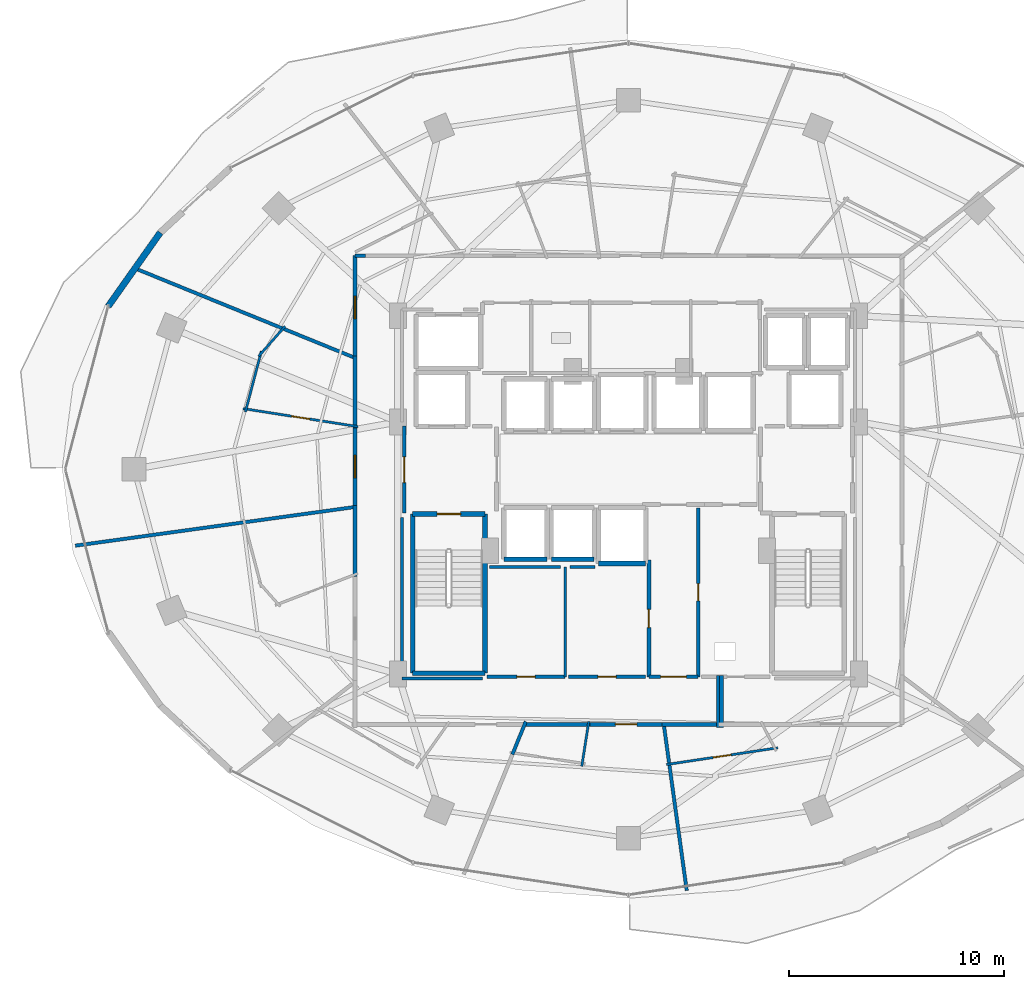
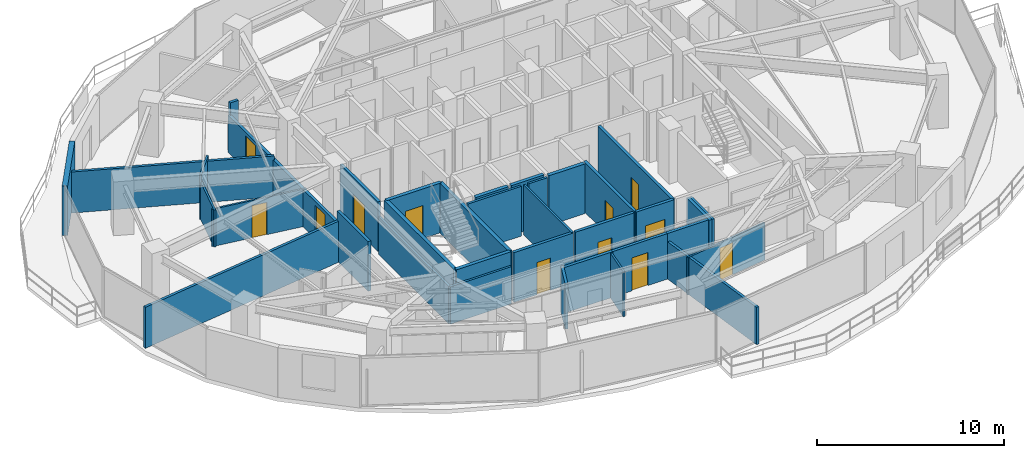
# One storey, part 22 of 30: 38 walls, 12 doors, 12 openings.
"""IFC4 building model written with IfcOpenShell, lengths in metres."""

from ifc_helpers import new_model, si_unit, direction, frame, frame_2d, origin, place, context, subcontext, project, spatial, rectangle, extrude, material, layer, layer_set, type_object, element, fill, save


model = new_model("IFC4")

# Units and contexts
model_context = context("Model", 3, precision=1e-05, world=origin(), true_north=direction((0.0, 1.0)))
body_context = subcontext(model_context, "Body", "Model", "MODEL_VIEW")
ifc_project = project(units=[si_unit("LENGTHUNIT", "METRE"), si_unit("AREAUNIT", "SQUARE_METRE"), si_unit("VOLUMEUNIT", "CUBIC_METRE"), si_unit("PLANEANGLEUNIT", "RADIAN"), si_unit("MASSUNIT", "GRAM", prefix="KILO")], contexts=[model_context])

# Site, building, storey
site_placement = place(None, origin())
site = spatial("IfcSite", under=ifc_project, at=site_placement, CompositionType="ELEMENT")
building_placement = place(site_placement, origin())
building = spatial("IfcBuilding", under=site, at=building_placement, Name="Vorneva Point Tower", CompositionType="ELEMENT")
storey_placement = place(building_placement, frame((0.0, 0.0, 89.300048828125)))
storey = spatial("IfcBuildingStorey", under=building, at=storey_placement, Name="L23", CompositionType="ELEMENT", Elevation=89.300048828125)

# Walls
ifc_material_1 = material(Name="Precast concrete B50 (C40/50)", Category="concrete")
ifc_layer_1 = layer(ifc_material_1, 0.300048828125)
ifc_layer_set_1 = layer_set([ifc_layer_1], Name="Precast concrete B50 (C40/50)")
wall_type_1 = type_object("IfcWallType", Name="WL-EXT-300", PredefinedType="STANDARD", material=ifc_layer_set_1)
wall_1_placement = place(storey_placement, frame((16.173828125, 37.028076171875, 0.0), z_axis=(0.0, 0.0, 1.0), x_axis=(-0.57716435238, -0.81662801222, 0.0)))
element("IfcWall", 1, at=wall_1_placement, inside=storey, type_object=wall_type_1, Name="L23 Pale-Metal Facade Spandrel Wall 07.2", PredefinedType="STANDARD", context=body_context, shape_type="SweptSolid", body=[
    extrude(rectangle(XDim=4.202392578125, YDim=0.300048828125, at=frame_2d((2.10107421875, 0.0))), origin(), (0.0, 0.0, 1.0), 3.239990234375),
])
ifc_material_2 = material(Name="Fire-rated acoustic gypsum stud partition", Category="gypsum")
ifc_layer_2 = layer(ifc_material_2, 0.110107421875)
ifc_layer_set_2 = layer_set([ifc_layer_2], Name="Fire-rated acoustic gypsum stud partition")
wall_type_2 = type_object("IfcWallType", Name="WL-PART-110", PredefinedType="PARTITIONING", material=ifc_layer_set_2)
wall_2_placement = place(storey_placement, frame((20.141357421875, 28.66650390625, 0.0), z_axis=(0.0, 0.0, 1.0), x_axis=(0.254489206931, 0.967075614187, 0.0)))
element("IfcWall", 2, at=wall_2_placement, inside=storey, type_object=wall_type_2, Name="L23 Interior Partition 070", PredefinedType="PARTITIONING", context=body_context, shape_type="SweptSolid", body=[
    extrude(rectangle(XDim=2.9365234375, YDim=0.110107421875, at=frame_2d((1.46826171875, 0.0))), origin(), (0.0, 0.0, 1.0), 2.431884765625),
])
wall_3_placement = place(storey_placement, frame((20.76025390625, 31.26611328125, 0.0), z_axis=(0.0, 0.0, 1.0), x_axis=(0.662008805554, 0.749496058275, 0.0)))
element("IfcWall", 3, at=wall_3_placement, inside=storey, type_object=wall_type_2, Name="L23 Interior Partition 071", PredefinedType="PARTITIONING", context=body_context, shape_type="SweptSolid", body=[
    extrude(rectangle(XDim=1.855712890625, YDim=0.110107421875, at=frame_2d((0.927734375, 0.0))), origin(), (0.0, 0.0, 1.0), 2.921875),
])

# Wall, opening, door
wall_4_placement = place(storey_placement, frame((25.38818359375, 27.982177734375, 0.0), z_axis=(0.0, 0.0, 1.0), x_axis=(-0.98785054141, 0.155406910513, 0.0)))
wall_4 = element("IfcWall", 4, at=wall_4_placement, inside=storey, type_object=wall_type_2, Name="L23 Interior Partition 072", PredefinedType="PARTITIONING", context=body_context, shape_type="SweptSolid", body=[
    extrude(rectangle(XDim=5.4150390625, YDim=0.110107421875, at=frame_2d((2.70751953125, 0.0))), origin(), (0.0, 0.0, 1.0), 2.431884765625),
])
opening_1_placement = place(wall_4_placement, frame((2.28271484375, 0.0, 0.0)))
opening_1 = element("IfcOpeningElement", 5, at=opening_1_placement, cuts=wall_4, Name="Opening ID-02", PredefinedType="OPENING", context=body_context, shape_type="SweptSolid", body=[
    extrude(rectangle(XDim=0.85009765625, YDim=2.10009765625, at=frame_2d((0.425048828125, 1.050048828125))), frame((0.0, 0.06982421875, 0.0), z_axis=(0.0, -1.0, 0.0), x_axis=(1.0, 0.0, 0.0)), (0.0, 0.0, 1.0), 0.139892578125),
])
ifc_material_3 = material(Name="Engineered oak fire-rated door leaf", Category="wood")
door_type_1 = type_object("IfcDoorType", Name="DR-BATH-850", OperationType="NOTDEFINED", PredefinedType="DOOR", material=ifc_material_3)
door_1_placement = place(opening_1_placement, origin())
door_1 = element("IfcDoor", 6, at=door_1_placement, inside=storey, type_object=door_type_1, Name="L23 Door Corner Suite L23-06 / En-Suite Bathroom L23-06", OperationType="SINGLE_SWING_RIGHT", OverallHeight=2.10009765625, OverallWidth=0.85009765625, PredefinedType="DOOR", context=body_context, shape_type="SweptSolid", body=[
    extrude(rectangle(XDim=0.85009765625, YDim=2.10009765625, at=frame_2d((0.425048828125, 1.050048828125))), frame((0.0, 0.02490234375, 0.0), z_axis=(0.0, -1.0, 0.0), x_axis=(1.0, 0.0, 0.0)), (0.0, 0.0, 1.0), 0.050048828125),
])
fill(opening_1, door_1)

# Wall
wall_5_placement = place(storey_placement, frame((36.150634765625, 14.23828125, 0.0), z_axis=(0.0, 0.0, 1.0), x_axis=(-0.15485948048, -0.987936506718, 0.0)))
element("IfcWall", 7, at=wall_5_placement, inside=storey, type_object=wall_type_2, Name="L23 Interior Partition 082", PredefinedType="PARTITIONING", context=body_context, shape_type="SweptSolid", body=[
    extrude(rectangle(XDim=2.114013671875, YDim=0.110107421875, at=frame_2d((1.05712890625, 0.0))), origin(), (0.0, 0.0, 1.0), 2.921875),
])

# Wall, opening, door
wall_6_placement = place(storey_placement, frame((44.96142578125, 13.0107421875, 0.0), z_axis=(0.0, 0.0, 1.0), x_axis=(-0.98888518965, -0.148681141008, 0.0)))
wall_6 = element("IfcWall", 8, at=wall_6_placement, inside=storey, type_object=wall_type_2, Name="L23 Interior Partition 085", PredefinedType="PARTITIONING", context=body_context, shape_type="SweptSolid", body=[
    extrude(rectangle(XDim=5.256103515625, YDim=0.110107421875, at=frame_2d((2.6279296875, 0.0))), origin(), (0.0, 0.0, 1.0), 2.431884765625),
])
opening_2_placement = place(wall_6_placement, frame((2.203125, 0.0, 0.0)))
opening_2 = element("IfcOpeningElement", 9, at=opening_2_placement, cuts=wall_6, Name="Opening ID-02", PredefinedType="OPENING", context=body_context, shape_type="SweptSolid", body=[
    extrude(rectangle(XDim=0.85009765625, YDim=2.10009765625, at=frame_2d((0.425048828125, 1.050048828125))), frame((0.0, 0.06982421875, 0.0), z_axis=(0.0, -1.0, 0.0), x_axis=(1.0, 0.0, 0.0)), (0.0, 0.0, 1.0), 0.139892578125),
])
door_2_placement = place(opening_2_placement, origin())
door_2 = element("IfcDoor", 10, at=door_2_placement, inside=storey, type_object=door_type_1, Name="L23 Door Junior Suite L23-10 / En-Suite Bathroom L23-10", OperationType="SINGLE_SWING_RIGHT", OverallHeight=2.10009765625, OverallWidth=0.85009765625, PredefinedType="DOOR", context=body_context, shape_type="SweptSolid", body=[
    extrude(rectangle(XDim=0.85009765625, YDim=2.10009765625, at=frame_2d((0.425048828125, 1.050048828125))), frame((0.0, 0.02490234375, 0.0), z_axis=(0.0, -1.0, 0.0), x_axis=(1.0, 0.0, 0.0)), (0.0, 0.0, 1.0), 0.050048828125),
])
fill(opening_2, door_2)

# Walls
ifc_layer_3 = layer(ifc_material_2, 0.125)
ifc_layer_set_3 = layer_set([ifc_layer_3], Name="Fire-rated acoustic gypsum stud partition")
wall_type_3 = type_object("IfcWallType", Name="WL-PART-125", PredefinedType="PARTITIONING", material=ifc_layer_set_3)
wall_7_placement = place(storey_placement, frame((35.050048828125, 16.320068359375, 0.0), z_axis=(0.0, 0.0, 1.0), x_axis=(0.0, 1.0, 0.0)))
element("IfcWall", 11, at=wall_7_placement, inside=storey, type_object=wall_type_3, Name="L23 Interior Partition 021", PredefinedType="PARTITIONING", context=body_context, shape_type="SweptSolid", body=[
    extrude(rectangle(XDim=5.1298828125, YDim=0.125, at=frame_2d((2.56494140625, 0.0))), origin(), (0.0, 0.0, 1.0), 3.239990234375),
])
ifc_layer_4 = layer(ifc_material_2, 0.139892578125)
ifc_layer_set_4 = layer_set([ifc_layer_4], Name="Fire-rated acoustic gypsum stud partition")
wall_type_4 = type_object("IfcWallType", Name="WL-PART-140", PredefinedType="PARTITIONING", material=ifc_layer_set_4)
wall_8_placement = place(storey_placement, frame((34.830078125, 21.449951171875, 0.0), z_axis=(0.0, 0.0, 1.0), x_axis=(-1.0, 0.0, 0.0)))
element("IfcWall", 12, at=wall_8_placement, inside=storey, type_object=wall_type_4, Name="L23 Interior Closure Partition 095", PredefinedType="PARTITIONING", context=body_context, shape_type="SweptSolid", body=[
    extrude(rectangle(XDim=3.300048828125, YDim=0.139892578125, at=frame_2d((1.64990234375, 0.0))), origin(), (0.0, 0.0, 1.0), 3.239990234375),
])
wall_9_placement = place(storey_placement, frame((36.43896484375, 21.449951171875, 0.0), z_axis=(0.0, 0.0, 1.0), x_axis=(-1.0, 0.0, 0.0)))
element("IfcWall", 13, at=wall_9_placement, inside=storey, type_object=wall_type_4, Name="L23 Interior Closure Partition 096", PredefinedType="PARTITIONING", context=body_context, shape_type="SweptSolid", body=[
    extrude(rectangle(XDim=1.158935546875, YDim=0.139892578125, at=frame_2d((0.57958984375, 0.0))), origin(), (0.0, 0.0, 1.0), 3.239990234375),
])
wall_10_placement = place(storey_placement, frame((31.195068359375, 16.239990234375, 0.0), z_axis=(0.0, 0.0, 1.0), x_axis=(-1.0, 0.0, 0.0)))
element("IfcWall", 14, at=wall_10_placement, inside=storey, type_object=wall_type_4, Name="L23 Interior Closure Partition 101", PredefinedType="PARTITIONING", context=body_context, shape_type="SweptSolid", body=[
    extrude(rectangle(XDim=3.7451171875, YDim=0.139892578125, at=frame_2d((1.87255859375, 0.0))), origin(), (0.0, 0.0, 1.0), 2.431884765625),
])
wall_11_placement = place(storey_placement, frame((27.449951171875, 16.239990234375, 0.0), z_axis=(0.0, 0.0, 1.0), x_axis=(0.0, 1.0, 0.0)))
element("IfcWall", 15, at=wall_11_placement, inside=storey, type_object=wall_type_4, Name="L23 Interior Closure Partition 102", PredefinedType="PARTITIONING", context=body_context, shape_type="SweptSolid", body=[
    extrude(rectangle(XDim=7.513916015625, YDim=0.139892578125, at=frame_2d((3.7568359375, 0.0))), origin(), (0.0, 0.0, 1.0), 2.431884765625),
])
ifc_layer_5 = layer(ifc_material_2, 0.159912109375)
ifc_layer_set_5 = layer_set([ifc_layer_5], Name="Fire-rated acoustic gypsum stud partition")
wall_type_5 = type_object("IfcWallType", Name="WL-PART-160", PredefinedType="PARTITIONING", material=ifc_layer_set_5)
wall_12_placement = place(storey_placement, frame((14.9970703125, 35.35888671875, 0.0), z_axis=(0.0, 0.0, 1.0), x_axis=(0.926288615834, -0.376814808861, 0.0)))
element("IfcWall", 16, at=wall_12_placement, inside=storey, type_object=wall_type_5, Name="L23 Interior Partition 069", PredefinedType="PARTITIONING", context=body_context, shape_type="SweptSolid", body=[
    extrude(rectangle(XDim=11.06884765625, YDim=0.159912109375, at=frame_2d((5.534423828125, 0.0))), origin(), (0.0, 0.0, 1.0), 2.677001953125),
])
wall_13_placement = place(storey_placement, frame((12.215087890625, 22.43310546875, 0.0), z_axis=(0.0, 0.0, 1.0), x_axis=(0.990569013426, 0.137014705927, 0.0)))
element("IfcWall", 17, at=wall_13_placement, inside=storey, type_object=wall_type_5, Name="L23 Interior Partition 073", PredefinedType="PARTITIONING", context=body_context, shape_type="SweptSolid", body=[
    extrude(rectangle(XDim=13.158935546875, YDim=0.159912109375, at=frame_2d((6.57958984375, 0.0))), origin(), (0.0, 0.0, 1.0), 2.677001953125),
])
wall_14_placement = place(storey_placement, frame((32.589111328125, 12.701416015625, 0.0), z_axis=(0.0, 0.0, 1.0), x_axis=(0.376742177728, 0.926318158907, 0.0)))
element("IfcWall", 18, at=wall_14_placement, inside=storey, type_object=wall_type_5, Name="L23 Interior Partition 081", PredefinedType="PARTITIONING", context=body_context, shape_type="SweptSolid", body=[
    extrude(rectangle(XDim=1.64990234375, YDim=0.159912109375, at=frame_2d((0.824951171875, 0.0))), origin(), (0.0, 0.0, 1.0), 2.971923828125),
])
wall_15_placement = place(storey_placement, frame((40.717041015625, 6.35302734375, 0.0), z_axis=(0.0, 0.0, 1.0), x_axis=(-0.136949014068, 0.990578097651, 0.0)))
element("IfcWall", 19, at=wall_15_placement, inside=storey, type_object=wall_type_5, Name="L23 Interior Partition 084", PredefinedType="PARTITIONING", context=body_context, shape_type="SweptSolid", body=[
    extrude(rectangle(XDim=7.82080078125, YDim=0.159912109375, at=frame_2d((3.910400390625, 0.0))), origin(), (0.0, 0.0, 1.0), 2.431884765625),
])

# Wall, opening, door
ifc_material_4 = material(Name="Autoclaved aerated concrete blockwork", Category="masonry")
ifc_layer_6 = layer(ifc_material_4, 0.179931640625)
ifc_layer_set_6 = layer_set([ifc_layer_6], Name="Autoclaved aerated concrete blockwork")
wall_type_6 = type_object("IfcWallType", Name="WL-PART-180", PredefinedType="PARTITIONING", material=ifc_layer_set_6)
wall_16_placement = place(storey_placement, frame((27.550048828125, 28.0, 0.0), z_axis=(0.0, 0.0, 1.0), x_axis=(0.0, -1.0, 0.0)))
wall_16 = element("IfcWall", 20, at=wall_16_placement, inside=storey, type_object=wall_type_6, Name="L23 Interior Partition 002", PredefinedType="PARTITIONING", context=body_context, shape_type="SweptSolid", body=[
    extrude(rectangle(XDim=4.050048828125, YDim=0.179931640625, at=frame_2d((2.02490234375, 0.0))), origin(), (0.0, 0.0, 1.0), 3.239990234375),
])
opening_3_placement = place(wall_16_placement, frame((1.425048828125, 0.0, 0.0)))
opening_3 = element("IfcOpeningElement", 21, at=opening_3_placement, cuts=wall_16, Name="Opening FD-02", PredefinedType="OPENING", context=body_context, shape_type="SweptSolid", body=[
    extrude(rectangle(XDim=1.199951171875, YDim=2.14990234375, at=frame_2d((0.60009765625, 1.074951171875))), frame((0.0, 0.10498046875, 0.0), z_axis=(0.0, -1.0, 0.0), x_axis=(1.0, 0.0, 0.0)), (0.0, 0.0, 1.0), 0.209716796875),
])
ifc_material_5 = material(Name="Fire-rated powder-coated steel", Category="steel")
door_type_2 = type_object("IfcDoorType", Name="DR-FFL-1200", OperationType="NOTDEFINED", PredefinedType="DOOR", material=ifc_material_5)
door_3_placement = place(opening_3_placement, origin())
door_3 = element("IfcDoor", 22, at=door_3_placement, inside=storey, type_object=door_type_2, Name="L23 Door West Firefighting Lobby / L23 Circulation Corridor", OperationType="SINGLE_SWING_RIGHT", OverallHeight=2.14990234375, OverallWidth=1.199951171875, PredefinedType="DOOR", context=body_context, shape_type="SweptSolid", body=[
    extrude(rectangle(XDim=1.199951171875, YDim=2.14990234375, at=frame_2d((0.60009765625, 1.074951171875))), frame((0.0, 0.02490234375, 0.0), z_axis=(0.0, -1.0, 0.0), x_axis=(1.0, 0.0, 0.0)), (0.0, 0.0, 1.0), 0.050048828125),
])
fill(opening_3, door_3)

wall_17_placement = place(storey_placement, frame((41.25, 16.320068359375, 0.0), z_axis=(0.0, 0.0, 1.0), x_axis=(0.0, 1.0, 0.0)))
wall_17 = element("IfcWall", 23, at=wall_17_placement, inside=storey, type_object=wall_type_6, Name="L23 Interior Partition 011", PredefinedType="PARTITIONING", context=body_context, shape_type="SweptSolid", body=[
    extrude(rectangle(XDim=7.8798828125, YDim=0.179931640625, at=frame_2d((3.93994140625, 0.0))), origin(), (0.0, 0.0, 1.0), 3.239990234375),
])
opening_4_placement = place(wall_17_placement, frame((3.5400390625, 0.0, 0.0)))
opening_4 = element("IfcOpeningElement", 24, at=opening_4_placement, cuts=wall_17, Name="Opening RD-01", PredefinedType="OPENING", context=body_context, shape_type="SweptSolid", body=[
    extrude(rectangle(XDim=0.800048828125, YDim=2.050048828125, at=frame_2d((0.39990234375, 1.02490234375))), frame((0.0, 0.10498046875, 0.0), z_axis=(0.0, -1.0, 0.0), x_axis=(1.0, 0.0, 0.0)), (0.0, 0.0, 1.0), 0.209716796875),
])
door_type_3 = type_object("IfcDoorType", Name="DR-RSR-800", OperationType="SINGLE_SWING_LEFT", PredefinedType="DOOR", material=ifc_material_5)
door_4_placement = place(opening_4_placement, origin())
door_4 = element("IfcDoor", 25, at=door_4_placement, inside=storey, type_object=door_type_3, Name="L23 Door Core Service Lobby / Electrical Riser", OperationType="SINGLE_SWING_RIGHT", OverallHeight=2.050048828125, OverallWidth=0.800048828125, PredefinedType="DOOR", context=body_context, shape_type="SweptSolid", body=[
    extrude(rectangle(XDim=0.800048828125, YDim=2.050048828125, at=frame_2d((0.39990234375, 1.02490234375))), frame((0.0, 0.02490234375, 0.0), z_axis=(0.0, -1.0, 0.0), x_axis=(1.0, 0.0, 0.0)), (0.0, 0.0, 1.0), 0.050048828125),
])
fill(opening_4, door_4)

wall_18_placement = place(storey_placement, frame((38.949951171875, 21.7548828125, 0.0), z_axis=(0.0, 0.0, 1.0), x_axis=(0.0, -1.0, 0.0)))
wall_18 = element("IfcWall", 26, at=wall_18_placement, inside=storey, type_object=wall_type_6, Name="L23 Interior Partition 012", PredefinedType="PARTITIONING", context=body_context, shape_type="SweptSolid", body=[
    extrude(rectangle(XDim=5.434814453125, YDim=0.179931640625, at=frame_2d((2.71728515625, 0.0))), origin(), (0.0, 0.0, 1.0), 3.239990234375),
])
opening_5_placement = place(wall_18_placement, frame((2.29248046875, 0.0, 0.0)))
opening_5 = element("IfcOpeningElement", 27, at=opening_5_placement, cuts=wall_18, Name="Opening ID-02", PredefinedType="OPENING", context=body_context, shape_type="SweptSolid", body=[
    extrude(rectangle(XDim=0.85009765625, YDim=2.10009765625, at=frame_2d((0.425048828125, 1.050048828125))), frame((0.0, 0.10498046875, 0.0), z_axis=(0.0, -1.0, 0.0), x_axis=(1.0, 0.0, 0.0)), (0.0, 0.0, 1.0), 0.209716796875),
])
door_5_placement = place(opening_5_placement, origin())
door_5 = element("IfcDoor", 28, at=door_5_placement, inside=storey, type_object=door_type_1, Name="L23 Door Core Service Lobby / Linen Store", OperationType="SINGLE_SWING_LEFT", OverallHeight=2.10009765625, OverallWidth=0.85009765625, PredefinedType="DOOR", context=body_context, shape_type="SweptSolid", body=[
    extrude(rectangle(XDim=0.85009765625, YDim=2.10009765625, at=frame_2d((0.425048828125, 1.050048828125))), frame((0.0, 0.02490234375, 0.0), z_axis=(0.0, -1.0, 0.0), x_axis=(1.0, 0.0, 0.0)), (0.0, 0.0, 1.0), 0.050048828125),
])
fill(opening_5, door_5)

wall_19_placement = place(storey_placement, frame((38.949951171875, 16.320068359375, 0.0), z_axis=(0.0, 0.0, 1.0), x_axis=(1.0, 0.0, 0.0)))
wall_19 = element("IfcWall", 29, at=wall_19_placement, inside=storey, type_object=wall_type_6, Name="L23 Interior Partition 013", PredefinedType="PARTITIONING", context=body_context, shape_type="SweptSolid", body=[
    extrude(rectangle(XDim=2.300048828125, YDim=0.179931640625, at=frame_2d((1.14990234375, 0.0))), origin(), (0.0, 0.0, 1.0), 3.239990234375),
])
opening_6_placement = place(wall_19_placement, frame((0.550048828125, 0.0, 0.0)))
opening_6 = element("IfcOpeningElement", 30, at=opening_6_placement, cuts=wall_19, Name="Opening FD-02", PredefinedType="OPENING", context=body_context, shape_type="SweptSolid", body=[
    extrude(rectangle(XDim=1.199951171875, YDim=2.14990234375, at=frame_2d((0.60009765625, 1.074951171875))), frame((0.0, 0.10498046875, 0.0), z_axis=(0.0, -1.0, 0.0), x_axis=(1.0, 0.0, 0.0)), (0.0, 0.0, 1.0), 0.209716796875),
])
door_6_placement = place(opening_6_placement, origin())
door_6 = element("IfcDoor", 31, at=door_6_placement, inside=storey, type_object=door_type_2, Name="L23 Door Core Service Lobby / L23 Circulation Corridor", OperationType="SINGLE_SWING_RIGHT", OverallHeight=2.14990234375, OverallWidth=1.199951171875, PredefinedType="DOOR", context=body_context, shape_type="SweptSolid", body=[
    extrude(rectangle(XDim=1.199951171875, YDim=2.14990234375, at=frame_2d((0.60009765625, 1.074951171875))), frame((0.0, 0.02490234375, 0.0), z_axis=(0.0, -1.0, 0.0), x_axis=(1.0, 0.0, 0.0)), (0.0, 0.0, 1.0), 0.050048828125),
])
fill(opening_6, door_6)

wall_20_placement = place(storey_placement, frame((31.39990234375, 16.320068359375, 0.0), z_axis=(0.0, 0.0, 1.0), x_axis=(1.0, 0.0, 0.0)))
wall_20 = element("IfcWall", 32, at=wall_20_placement, inside=storey, type_object=wall_type_6, Name="L23 Interior Partition 022", PredefinedType="PARTITIONING", context=body_context, shape_type="SweptSolid", body=[
    extrude(rectangle(XDim=3.650146484375, YDim=0.179931640625, at=frame_2d((1.8251953125, 0.0))), origin(), (0.0, 0.0, 1.0), 3.239990234375),
])
opening_7_placement = place(wall_20_placement, frame((1.39990234375, 0.0, 0.0)))
opening_7 = element("IfcOpeningElement", 33, at=opening_7_placement, cuts=wall_20, Name="Opening ID-02", PredefinedType="OPENING", context=body_context, shape_type="SweptSolid", body=[
    extrude(rectangle(XDim=0.85009765625, YDim=2.10009765625, at=frame_2d((0.425048828125, 1.050048828125))), frame((0.0, 0.10498046875, 0.0), z_axis=(0.0, -1.0, 0.0), x_axis=(1.0, 0.0, 0.0)), (0.0, 0.0, 1.0), 0.209716796875),
])
door_7_placement = place(opening_7_placement, origin())
door_7 = element("IfcDoor", 34, at=door_7_placement, inside=storey, type_object=door_type_1, Name="L23 Door Housekeeping Room / L23 Circulation Corridor", OperationType="SINGLE_SWING_LEFT", OverallHeight=2.10009765625, OverallWidth=0.85009765625, PredefinedType="DOOR", context=body_context, shape_type="SweptSolid", body=[
    extrude(rectangle(XDim=0.85009765625, YDim=2.10009765625, at=frame_2d((0.425048828125, 1.050048828125))), frame((0.0, 0.02490234375, 0.0), z_axis=(0.0, -1.0, 0.0), x_axis=(1.0, 0.0, 0.0)), (0.0, 0.0, 1.0), 0.050048828125),
])
fill(opening_7, door_7)

wall_21_placement = place(storey_placement, frame((35.199951171875, 16.320068359375, 0.0), z_axis=(0.0, 0.0, 1.0), x_axis=(1.0, 0.0, 0.0)))
wall_21 = element("IfcWall", 35, at=wall_21_placement, inside=storey, type_object=wall_type_6, Name="L23 Interior Partition 023", PredefinedType="PARTITIONING", context=body_context, shape_type="SweptSolid", body=[
    extrude(rectangle(XDim=3.60009765625, YDim=0.179931640625, at=frame_2d((1.800048828125, 0.0))), origin(), (0.0, 0.0, 1.0), 3.239990234375),
])
opening_8_placement = place(wall_21_placement, frame((1.375, 0.0, 0.0)))
opening_8 = element("IfcOpeningElement", 36, at=opening_8_placement, cuts=wall_21, Name="Opening ID-02", PredefinedType="OPENING", context=body_context, shape_type="SweptSolid", body=[
    extrude(rectangle(XDim=0.85009765625, YDim=2.10009765625, at=frame_2d((0.425048828125, 1.050048828125))), frame((0.0, 0.10498046875, 0.0), z_axis=(0.0, -1.0, 0.0), x_axis=(1.0, 0.0, 0.0)), (0.0, 0.0, 1.0), 0.209716796875),
])
door_8_placement = place(opening_8_placement, origin())
door_8 = element("IfcDoor", 37, at=door_8_placement, inside=storey, type_object=door_type_1, Name="L23 Door Linen Store / L23 Circulation Corridor", OperationType="SINGLE_SWING_RIGHT", OverallHeight=2.10009765625, OverallWidth=0.85009765625, PredefinedType="DOOR", context=body_context, shape_type="SweptSolid", body=[
    extrude(rectangle(XDim=0.85009765625, YDim=2.10009765625, at=frame_2d((0.425048828125, 1.050048828125))), frame((0.0, 0.02490234375, 0.0), z_axis=(0.0, -1.0, 0.0), x_axis=(1.0, 0.0, 0.0)), (0.0, 0.0, 1.0), 0.050048828125),
])
fill(opening_8, door_8)

# Wall
wall_22_placement = place(storey_placement, frame((25.7451171875, 35.949951171875, 0.0), z_axis=(0.0, 0.0, 1.0), x_axis=(-1.0, 0.0, 0.0)))
element("IfcWall", 38, at=wall_22_placement, inside=storey, type_object=wall_type_6, Name="L23 Interior Partition 032", PredefinedType="PARTITIONING", context=body_context, shape_type="SweptSolid", body=[
    extrude(rectangle(XDim=0.4951171875, YDim=0.179931640625, at=frame_2d((0.24755859375, 0.0))), origin(), (0.0, 0.0, 1.0), 3.239990234375),
])

# Wall, opening, door
wall_23_placement = place(storey_placement, frame((25.25, 35.949951171875, 0.0), z_axis=(0.0, 0.0, 1.0), x_axis=(0.0, -1.0, 0.0)))
wall_23 = element("IfcWall", 39, at=wall_23_placement, inside=storey, type_object=wall_type_6, Name="L23 Interior Partition 033", PredefinedType="PARTITIONING", context=body_context, shape_type="SweptSolid", body=[
    extrude(rectangle(XDim=4.822021484375, YDim=0.179931640625, at=frame_2d((2.4111328125, 0.0))), origin(), (0.0, 0.0, 1.0), 2.431884765625),
])
opening_9_placement = place(wall_23_placement, frame((1.885986328125, 0.0, 0.0)))
opening_9 = element("IfcOpeningElement", 40, at=opening_9_placement, cuts=wall_23, Name="Opening UD-02", PredefinedType="OPENING", context=body_context, shape_type="SweptSolid", body=[
    extrude(rectangle(XDim=1.050048828125, YDim=2.199951171875, at=frame_2d((0.52490234375, 1.10009765625))), frame((0.0, 0.10498046875, 0.0), z_axis=(0.0, -1.0, 0.0), x_axis=(1.0, 0.0, 0.0)), (0.0, 0.0, 1.0), 0.209716796875),
])
door_type_4 = type_object("IfcDoorType", Name="DR-SUITE-1050", OperationType="NOTDEFINED", PredefinedType="DOOR", material=ifc_material_3)
door_9_placement = place(opening_9_placement, origin())
door_9 = element("IfcDoor", 41, at=door_9_placement, inside=storey, type_object=door_type_4, Name="L23 Door L23 Circulation Corridor / Executive Suite L23-05", OperationType="SINGLE_SWING_LEFT", OverallHeight=2.199951171875, OverallWidth=1.050048828125, PredefinedType="DOOR", context=body_context, shape_type="SweptSolid", body=[
    extrude(rectangle(XDim=1.050048828125, YDim=2.199951171875, at=frame_2d((0.52490234375, 1.10009765625))), frame((0.0, 0.02490234375, 0.0), z_axis=(0.0, -1.0, 0.0), x_axis=(1.0, 0.0, 0.0)), (0.0, 0.0, 1.0), 0.050048828125),
])
fill(opening_9, door_9)

wall_24_placement = place(storey_placement, frame((25.25, 28.06494140625, 0.0), z_axis=(0.0, 0.0, 1.0), x_axis=(0.0, -1.0, 0.0)))
wall_24 = element("IfcWall", 42, at=wall_24_placement, inside=storey, type_object=wall_type_6, Name="L23 Interior Partition 035", PredefinedType="PARTITIONING", context=body_context, shape_type="SweptSolid", body=[
    extrude(rectangle(XDim=3.889892578125, YDim=0.179931640625, at=frame_2d((1.94482421875, 0.0))), origin(), (0.0, 0.0, 1.0), 2.431884765625),
])
opening_10_placement = place(wall_24_placement, frame((1.419921875, 0.0, 0.0)))
opening_10 = element("IfcOpeningElement", 43, at=opening_10_placement, cuts=wall_24, Name="Opening UD-02", PredefinedType="OPENING", context=body_context, shape_type="SweptSolid", body=[
    extrude(rectangle(XDim=1.050048828125, YDim=2.199951171875, at=frame_2d((0.52490234375, 1.10009765625))), frame((0.0, 0.10498046875, 0.0), z_axis=(0.0, -1.0, 0.0), x_axis=(1.0, 0.0, 0.0)), (0.0, 0.0, 1.0), 0.209716796875),
])
door_10_placement = place(opening_10_placement, origin())
door_10 = element("IfcDoor", 44, at=door_10_placement, inside=storey, type_object=door_type_4, Name="L23 Door L23 Circulation Corridor / Corner Suite L23-06", OperationType="SINGLE_SWING_RIGHT", OverallHeight=2.199951171875, OverallWidth=1.050048828125, PredefinedType="DOOR", context=body_context, shape_type="SweptSolid", body=[
    extrude(rectangle(XDim=1.050048828125, YDim=2.199951171875, at=frame_2d((0.52490234375, 1.10009765625))), frame((0.0, 0.02490234375, 0.0), z_axis=(0.0, -1.0, 0.0), x_axis=(1.0, 0.0, 0.0)), (0.0, 0.0, 1.0), 0.050048828125),
])
fill(opening_10, door_10)

# Walls
wall_25_placement = place(storey_placement, frame((25.25, 31.26806640625, 0.0), z_axis=(0.0, 0.0, 1.0), x_axis=(0.0, -1.0, 0.0)))
element("IfcWall", 45, at=wall_25_placement, inside=storey, type_object=wall_type_6, Name="L23 Interior Partition 036", PredefinedType="PARTITIONING", context=body_context, shape_type="SweptSolid", body=[
    extrude(rectangle(XDim=3.343017578125, YDim=0.179931640625, at=frame_2d((1.67138671875, 0.0))), origin(), (0.0, 0.0, 1.0), 2.431884765625),
])
wall_26_placement = place(storey_placement, frame((25.25, 24.31494140625, 0.0), z_axis=(0.0, 0.0, 1.0), x_axis=(0.0, -1.0, 0.0)))
element("IfcWall", 46, at=wall_26_placement, inside=storey, type_object=wall_type_6, Name="L23 Interior Partition 038", PredefinedType="PARTITIONING", context=body_context, shape_type="SweptSolid", body=[
    extrude(rectangle(XDim=3.307861328125, YDim=0.179931640625, at=frame_2d((1.65380859375, 0.0))), origin(), (0.0, 0.0, 1.0), 3.239990234375),
])

# Wall, opening, door
wall_27_placement = place(storey_placement, frame((36.068115234375, 14.10009765625, 0.0), z_axis=(0.0, 0.0, 1.0), x_axis=(1.0, 0.0, 0.0)))
wall_27 = element("IfcWall", 47, at=wall_27_placement, inside=storey, type_object=wall_type_6, Name="L23 Interior Partition 042", PredefinedType="PARTITIONING", context=body_context, shape_type="SweptSolid", body=[
    extrude(rectangle(XDim=3.638916015625, YDim=0.179931640625, at=frame_2d((1.8193359375, 0.0))), origin(), (0.0, 0.0, 1.0), 2.971923828125),
])
opening_11_placement = place(wall_27_placement, frame((1.319580078125, 0.0, 0.0)))
opening_11 = element("IfcOpeningElement", 48, at=opening_11_placement, cuts=wall_27, Name="Opening UD-01", PredefinedType="OPENING", context=body_context, shape_type="SweptSolid", body=[
    extrude(rectangle(XDim=1.0, YDim=2.14990234375, at=frame_2d((0.5, 1.074951171875))), frame((0.0, 0.10498046875, 0.0), z_axis=(0.0, -1.0, 0.0), x_axis=(1.0, 0.0, 0.0)), (0.0, 0.0, 1.0), 0.209716796875),
])
door_type_5 = type_object("IfcDoorType", Name="DR-UNIT-1000", OperationType="NOTDEFINED", PredefinedType="DOOR", material=ifc_material_3)
door_11_placement = place(opening_11_placement, origin())
door_11 = element("IfcDoor", 49, at=door_11_placement, inside=storey, type_object=door_type_5, Name="L23 Door L23 Circulation Corridor / Twin Guest Room L23-09", OperationType="SINGLE_SWING_LEFT", OverallHeight=2.14990234375, OverallWidth=1.0, PredefinedType="DOOR", context=body_context, shape_type="SweptSolid", body=[
    extrude(rectangle(XDim=1.0, YDim=2.14990234375, at=frame_2d((0.5, 1.074951171875))), frame((0.0, 0.02490234375, 0.0), z_axis=(0.0, -1.0, 0.0), x_axis=(1.0, 0.0, 0.0)), (0.0, 0.0, 1.0), 0.050048828125),
])
fill(opening_11, door_11)

# Walls
wall_28_placement = place(storey_placement, frame((33.077880859375, 14.10009765625, 0.0), z_axis=(0.0, 0.0, 1.0), x_axis=(1.0, 0.0, 0.0)))
element("IfcWall", 50, at=wall_28_placement, inside=storey, type_object=wall_type_6, Name="L23 Interior Partition 043", PredefinedType="PARTITIONING", context=body_context, shape_type="SweptSolid", body=[
    extrude(rectangle(XDim=3.130126953125, YDim=0.179931640625, at=frame_2d((1.56494140625, 0.0))), origin(), (0.0, 0.0, 1.0), 2.971923828125),
])
wall_29_placement = place(storey_placement, frame((42.340087890625, 16.3798828125, 0.0), z_axis=(0.0, 0.0, 1.0), x_axis=(0.0, -1.0, 0.0)))
element("IfcWall", 51, at=wall_29_placement, inside=storey, type_object=wall_type_6, Name="L23 Interior Partition 046", PredefinedType="PARTITIONING", context=body_context, shape_type="SweptSolid", body=[
    extrude(rectangle(XDim=2.419921875, YDim=0.179931640625, at=frame_2d((1.2099609375, 0.0))), origin(), (0.0, 0.0, 1.0), 2.971923828125),
])
wall_30_placement = place(storey_placement, frame((39.56689453125, 14.10009765625, 0.0), z_axis=(0.0, 0.0, 1.0), x_axis=(1.0, 0.0, 0.0)))
element("IfcWall", 52, at=wall_30_placement, inside=storey, type_object=wall_type_6, Name="L23 Interior Partition 048", PredefinedType="PARTITIONING", context=body_context, shape_type="SweptSolid", body=[
    extrude(rectangle(XDim=2.773193359375, YDim=0.179931640625, at=frame_2d((1.38671875, 0.0))), origin(), (0.0, 0.0, 1.0), 2.971923828125),
])
wall_31_placement = place(storey_placement, frame((42.199951171875, 13.9599609375, 0.0), z_axis=(0.0, 0.0, 1.0), x_axis=(0.0, 1.0, 0.0)))
element("IfcWall", 53, at=wall_31_placement, inside=storey, type_object=wall_type_6, Name="L23 Interior Partition 049", PredefinedType="PARTITIONING", context=body_context, shape_type="SweptSolid", body=[
    extrude(rectangle(XDim=2.419921875, YDim=0.179931640625, at=frame_2d((1.2099609375, 0.0))), origin(), (0.0, 0.0, 1.0), 2.971923828125),
])

# Wall, opening, door
ifc_material_6 = material(Name="Concrete B50 (C40/50)", Category="concrete")
ifc_layer_7 = layer(ifc_material_6, 0.219970703125)
ifc_layer_set_7 = layer_set([ifc_layer_7], Name="Concrete B50 (C40/50)")
wall_type_7 = type_object("IfcWallType", Name="WL-SHFT-220", PredefinedType="SOLIDWALL", material=ifc_layer_set_7)
wall_32_placement = place(storey_placement, frame((27.93994140625, 23.909912109375, 0.0), z_axis=(0.0, 0.0, 1.0), x_axis=(1.0, 0.0, 0.0)))
wall_32 = element("IfcWall", 54, at=wall_32_placement, inside=storey, type_object=wall_type_7, Name="L23 Exit Stair ST1 Shaft Wall near", PredefinedType="SOLIDWALL", context=body_context, shape_type="SweptSolid", body=[
    extrude(rectangle(XDim=3.3701171875, YDim=0.219970703125, at=frame_2d((1.68505859375, 0.0))), origin(), (0.0, 0.0, 1.0), 3.239990234375),
])
opening_12_placement = place(wall_32_placement, frame((1.135009765625, 0.0, 0.0)))
opening_12 = element("IfcOpeningElement", 55, at=opening_12_placement, cuts=wall_32, Name="Opening FD-01", PredefinedType="OPENING", context=body_context, shape_type="SweptSolid", body=[
    extrude(rectangle(XDim=1.10009765625, YDim=2.14990234375, at=frame_2d((0.550048828125, 1.074951171875))), frame((0.0, 0.125, 0.0), z_axis=(0.0, -1.0, 0.0), x_axis=(1.0, 0.0, 0.0)), (0.0, 0.0, 1.0), 0.249755859375),
])
door_type_6 = type_object("IfcDoorType", Name="DR-STAIR-1100", OperationType="NOTDEFINED", PredefinedType="DOOR", material=ifc_material_5)
door_12_placement = place(opening_12_placement, origin())
door_12 = element("IfcDoor", 56, at=door_12_placement, inside=storey, type_object=door_type_6, Name="L23 Exit Stair ST1 Fire Door", OperationType="SINGLE_SWING_LEFT", OverallHeight=2.14990234375, OverallWidth=1.10009765625, PredefinedType="DOOR", context=body_context, shape_type="SweptSolid", body=[
    extrude(rectangle(XDim=1.10009765625, YDim=2.14990234375, at=frame_2d((0.550048828125, 1.074951171875))), frame((0.0, 0.02490234375, 0.0), z_axis=(0.0, -1.0, 0.0), x_axis=(1.0, 0.0, 0.0)), (0.0, 0.0, 1.0), 0.050048828125),
])
fill(opening_12, door_12)

# Walls
wall_33_placement = place(storey_placement, frame((31.31005859375, 23.909912109375, 0.0), z_axis=(0.0, 0.0, 1.0), x_axis=(0.0, -1.0, 0.0)))
element("IfcWall", 57, at=wall_33_placement, inside=storey, type_object=wall_type_7, Name="L23 Exit Stair ST1 Shaft Wall right", PredefinedType="SOLIDWALL", context=body_context, shape_type="SweptSolid", body=[
    extrude(rectangle(XDim=7.419921875, YDim=0.219970703125, at=frame_2d((3.7099609375, 0.0))), origin(), (0.0, 0.0, 1.0), 3.239990234375),
])
wall_34_placement = place(storey_placement, frame((31.31005859375, 16.489990234375, 0.0), z_axis=(0.0, 0.0, 1.0), x_axis=(-1.0, 0.0, 0.0)))
element("IfcWall", 58, at=wall_34_placement, inside=storey, type_object=wall_type_7, Name="L23 Exit Stair ST1 Shaft Wall far", PredefinedType="SOLIDWALL", context=body_context, shape_type="SweptSolid", body=[
    extrude(rectangle(XDim=3.3701171875, YDim=0.219970703125, at=frame_2d((1.68505859375, 0.0))), origin(), (0.0, 0.0, 1.0), 3.239990234375),
])
wall_35_placement = place(storey_placement, frame((27.93994140625, 16.489990234375, 0.0), z_axis=(0.0, 0.0, 1.0), x_axis=(0.0, 1.0, 0.0)))
element("IfcWall", 59, at=wall_35_placement, inside=storey, type_object=wall_type_7, Name="L23 Exit Stair ST1 Shaft Wall left", PredefinedType="SOLIDWALL", context=body_context, shape_type="SweptSolid", body=[
    extrude(rectangle(XDim=7.419921875, YDim=0.219970703125, at=frame_2d((3.7099609375, 0.0))), origin(), (0.0, 0.0, 1.0), 3.239990234375),
])
for number, where, z_axis, x_axis, name in (
    (60, (32.199951171875, 21.800048828125, 0.0), (0.0, 0.0, 1.0), (1.0, 0.0, 0.0), "L23 Lift PL4 Shaft Wall -Y"),
    (61, (34.39990234375, 21.800048828125, 0.0), (0.0, 0.0, 1.0), (1.0, 0.0, 0.0), "L23 Lift PL5 Shaft Wall -Y"),
):
    element("IfcWall", number, at=place(storey_placement, frame(where, z_axis=z_axis, x_axis=x_axis)), inside=storey, type_object=wall_type_7, Name=name, PredefinedType="SOLIDWALL", context=body_context, shape_type="SweptSolid", body=[
        extrude(rectangle(XDim=2.0, YDim=0.219970703125, at=frame_2d((1.0, 0.0))), origin(), (0.0, 0.0, 1.0), 3.239990234375),
    ])
wall_36_placement = place(storey_placement, frame((36.60009765625, 21.60009765625, 0.0), z_axis=(0.0, 0.0, 1.0), x_axis=(1.0, 0.0, 0.0)))
element("IfcWall", 62, at=wall_36_placement, inside=storey, type_object=wall_type_7, Name="L23 Lift PL6 Shaft Wall -Y", PredefinedType="SOLIDWALL", context=body_context, shape_type="SweptSolid", body=[
    extrude(rectangle(XDim=2.199951171875, YDim=0.219970703125, at=frame_2d((1.10009765625, 0.0))), origin(), (0.0, 0.0, 1.0), 3.239990234375),
])

save(model, "model.ifc")
